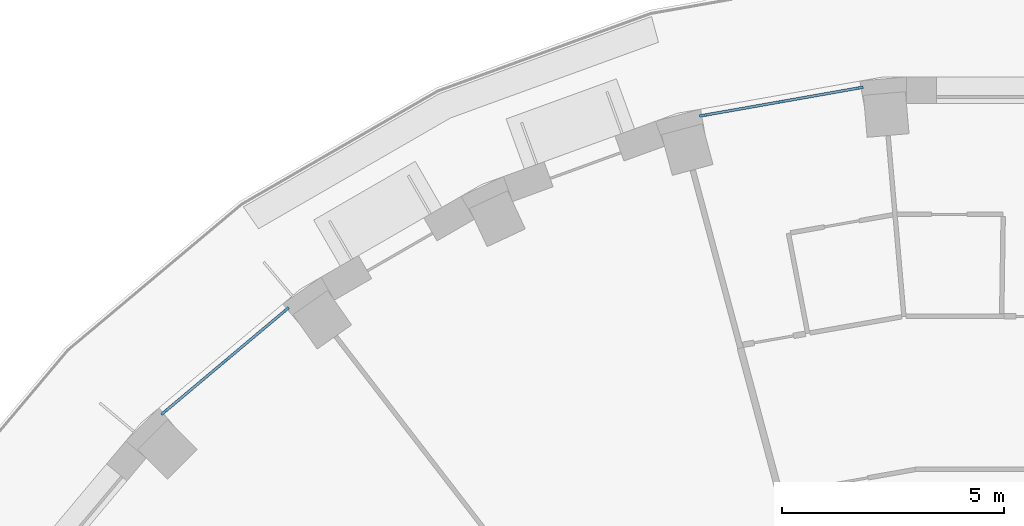
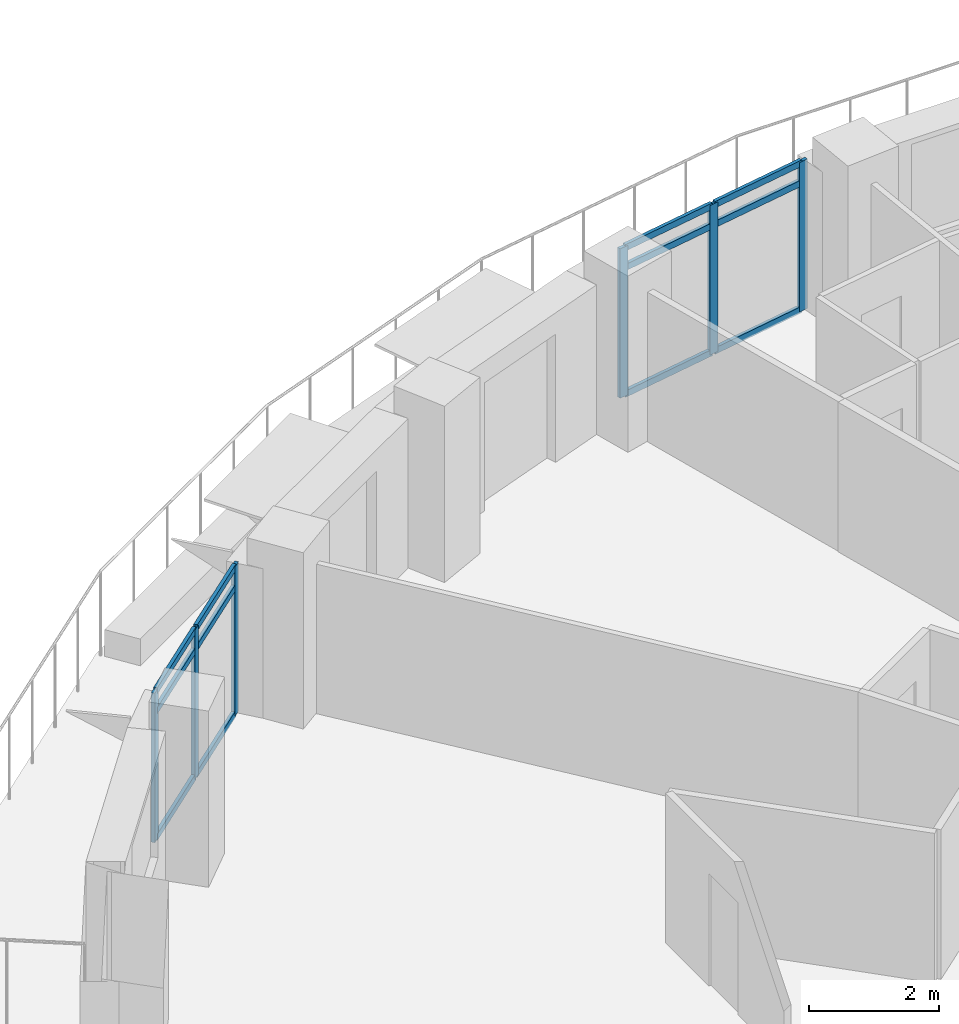
# One storey, part 2 of 14: 18 members, 2 elements without a shape of their own.
"""IFC4 building model written with IfcOpenShell, lengths in metres."""

from ifc_helpers import new_model, si_unit, direction, frame, origin, origin_2d, place, context, subcontext, project, spatial, rectangle, extrude, material, layer, layer_set, material_profile, profile_set, type_object, element, aggregate, save


model = new_model("IFC4")

# Units and contexts
model_context = context("Model", 3, precision=1e-05, world=origin(), true_north=direction((0.0, 1.0)))
body_context = subcontext(model_context, "Body", "Model", "MODEL_VIEW")
ifc_project = project(units=[si_unit("LENGTHUNIT", "METRE"), si_unit("AREAUNIT", "SQUARE_METRE"), si_unit("VOLUMEUNIT", "CUBIC_METRE"), si_unit("PLANEANGLEUNIT", "RADIAN"), si_unit("MASSUNIT", "GRAM", prefix="KILO")], contexts=[model_context])

# Site, building, storey
site_placement = place(None, origin())
site = spatial("IfcSite", under=ifc_project, at=site_placement, CompositionType="ELEMENT")
building_placement = place(site_placement, origin())
building = spatial("IfcBuilding", under=site, at=building_placement, Name="Saqina Gate Tower", CompositionType="ELEMENT")
storey_placement = place(building_placement, frame((0.0, 0.0, 98.5)))
storey = spatial("IfcBuildingStorey", under=building, at=storey_placement, Name="L27", CompositionType="ELEMENT", Elevation=98.5)

# Curtain wall, members
ifc_material_1 = material(Name="Aluminium glazing", Category="aluminium")
ifc_layer = layer(ifc_material_1, 0.159912109375)
ifc_layer_set = layer_set([ifc_layer], Name="CWT-4")
curtain_wall_type = type_object("IfcCurtainWallType", Name="CWT-4", PredefinedType="NOTDEFINED", material=ifc_layer_set)
curtain_wall_1_placement = place(storey_placement, origin())
curtain_wall_1 = element("IfcCurtainWall", 1, at=curtain_wall_1_placement, inside=storey, type_object=curtain_wall_type, Name="Terrace lounge glazing facet 10", PredefinedType="NOTDEFINED")
ifc_material_2 = material(Name="Aluminium", Category="aluminium")
ifc_material_profile_1 = material_profile(ifc_material_2, rectangle(XDim=0.06005859375, YDim=0.159912109375, at=origin_2d()), Name="Aluminium 60x160")
ifc_profile_set_1 = profile_set([ifc_material_profile_1], Name="Aluminium")
member_type_1 = type_object("IfcMemberType", Name="CWT-4M", PredefinedType="MULLION", material=ifc_profile_set_1)
member_1_placement = place(storey_placement, frame((-2.8779296875, 26.65234375, 0.0), z_axis=(0.0, 0.0, 1.0), x_axis=(0.17363832834, -0.984809489664, 0.0)))
member_1 = element("IfcMember", 2, at=member_1_placement, type_object=member_type_1, Name="CW4-10 mullion 1", PredefinedType="MULLION", context=body_context, shape_type="SweptSolid", body=[
    extrude(rectangle(XDim=0.06005859375, YDim=0.159912109375, at=origin_2d()), origin(), (0.0, 0.0, 1.0), 2.800048828125),
])
member_2_placement = place(storey_placement, frame((-4.64453125, 26.3408203125, 0.0), z_axis=(0.0, 0.0, 1.0), x_axis=(0.17363832834, -0.984809489664, 0.0)))
member_2 = element("IfcMember", 3, at=member_2_placement, type_object=member_type_1, Name="CW4-10 mullion 2", PredefinedType="MULLION", context=body_context, shape_type="SweptSolid", body=[
    extrude(rectangle(XDim=0.06005859375, YDim=0.159912109375, at=origin_2d()), origin(), (0.0, 0.0, 1.0), 2.800048828125),
])
member_3_placement = place(storey_placement, frame((-6.411376953125, 26.029296875, 0.0), z_axis=(0.0, 0.0, 1.0), x_axis=(0.17363832834, -0.984809489664, 0.0)))
member_3 = element("IfcMember", 4, at=member_3_placement, type_object=member_type_1, Name="CW4-10 mullion 3", PredefinedType="MULLION", context=body_context, shape_type="SweptSolid", body=[
    extrude(rectangle(XDim=0.06005859375, YDim=0.159912109375, at=origin_2d()), origin(), (0.0, 0.0, 1.0), 2.800048828125),
])

curtain_wall_2_placement = place(storey_placement, origin())
curtain_wall_2 = element("IfcCurtainWall", 5, at=curtain_wall_2_placement, inside=storey, type_object=curtain_wall_type, Name="Terrace lounge glazing facet 13", PredefinedType="NOTDEFINED")
member_4_placement = place(storey_placement, frame((-15.818603515625, 21.642822265625, 0.0), z_axis=(0.0, 0.0, 1.0), x_axis=(0.642790825553, -0.766041744675, 0.0)))
member_4 = element("IfcMember", 6, at=member_4_placement, type_object=member_type_1, Name="CW4-13 mullion 1", PredefinedType="MULLION", context=body_context, shape_type="SweptSolid", body=[
    extrude(rectangle(XDim=0.06005859375, YDim=0.159912109375, at=origin_2d()), origin(), (0.0, 0.0, 1.0), 2.800048828125),
])
member_5_placement = place(storey_placement, frame((-17.19287109375, 20.489501953125, 0.0), z_axis=(0.0, 0.0, 1.0), x_axis=(0.642790825553, -0.766041744675, 0.0)))
member_5 = element("IfcMember", 7, at=member_5_placement, type_object=member_type_1, Name="CW4-13 mullion 2", PredefinedType="MULLION", context=body_context, shape_type="SweptSolid", body=[
    extrude(rectangle(XDim=0.06005859375, YDim=0.159912109375, at=origin_2d()), origin(), (0.0, 0.0, 1.0), 2.800048828125),
])
member_6_placement = place(storey_placement, frame((-18.567138671875, 19.33642578125, 0.0), z_axis=(0.0, 0.0, 1.0), x_axis=(0.642790825553, -0.766041744675, 0.0)))
member_6 = element("IfcMember", 8, at=member_6_placement, type_object=member_type_1, Name="CW4-13 mullion 3", PredefinedType="MULLION", context=body_context, shape_type="SweptSolid", body=[
    extrude(rectangle(XDim=0.06005859375, YDim=0.159912109375, at=origin_2d()), origin(), (0.0, 0.0, 1.0), 2.800048828125),
])

# Member
ifc_material_3 = material(Name="Aluminium", Category="aluminium")
ifc_material_profile_2 = material_profile(ifc_material_3, rectangle(XDim=0.06005859375, YDim=0.1201171875, at=origin_2d()), Name="Aluminium 60x120")
ifc_profile_set_2 = profile_set([ifc_material_profile_2], Name="Aluminium")
member_type_2 = type_object("IfcMemberType", Name="CWT-4T", PredefinedType="USERDEFINED", material=ifc_profile_set_2)
member_7_placement = place(storey_placement, frame((-2.907470703125, 26.647216796875, 0.030029296875), z_axis=(-0.98481331257, -0.173616644895, 0.0), x_axis=(0.173616644895, -0.98481331257, 0.0)))
member_7 = element("IfcMember", 9, at=member_7_placement, type_object=member_type_2, Name="CW4-10 transom 1.1", ObjectType="TRANSOM", PredefinedType="USERDEFINED", context=body_context, shape_type="SweptSolid", body=[
    extrude(rectangle(XDim=0.06005859375, YDim=0.1201171875, at=origin_2d()), origin(), (0.0, 0.0, 1.0), 1.73388671875),
])

member_8_placement = place(storey_placement, frame((-2.907470703125, 26.647216796875, 2.39990234375), z_axis=(-0.98481331257, -0.173616644895, 0.0), x_axis=(0.173616644895, -0.98481331257, 0.0)))
member_8 = element("IfcMember", 10, at=member_8_placement, type_object=member_type_2, Name="CW4-10 transom 1.2", ObjectType="TRANSOM", PredefinedType="USERDEFINED", context=body_context, shape_type="SweptSolid", body=[
    extrude(rectangle(XDim=0.06005859375, YDim=0.1201171875, at=origin_2d()), origin(), (0.0, 0.0, 1.0), 1.73388671875),
])

member_9_placement = place(storey_placement, frame((-2.907470703125, 26.647216796875, 2.77001953125), z_axis=(-0.98481331257, -0.173616644895, 0.0), x_axis=(0.173616644895, -0.98481331257, 0.0)))
member_9 = element("IfcMember", 11, at=member_9_placement, type_object=member_type_2, Name="CW4-10 transom 1.3", ObjectType="TRANSOM", PredefinedType="USERDEFINED", context=body_context, shape_type="SweptSolid", body=[
    extrude(rectangle(XDim=0.06005859375, YDim=0.1201171875, at=origin_2d()), origin(), (0.0, 0.0, 1.0), 1.73388671875),
])

member_10_placement = place(storey_placement, frame((-4.674072265625, 26.335693359375, 0.030029296875), z_axis=(-0.98481331257, -0.173616644895, 0.0), x_axis=(0.173616644895, -0.98481331257, 0.0)))
member_10 = element("IfcMember", 12, at=member_10_placement, type_object=member_type_2, Name="CW4-10 transom 2.1", ObjectType="TRANSOM", PredefinedType="USERDEFINED", context=body_context, shape_type="SweptSolid", body=[
    extrude(rectangle(XDim=0.06005859375, YDim=0.1201171875, at=origin_2d()), origin(), (0.0, 0.0, 1.0), 1.73388671875),
])

member_11_placement = place(storey_placement, frame((-4.674072265625, 26.335693359375, 2.39990234375), z_axis=(-0.98481331257, -0.173616644895, 0.0), x_axis=(0.173616644895, -0.98481331257, 0.0)))
member_11 = element("IfcMember", 13, at=member_11_placement, type_object=member_type_2, Name="CW4-10 transom 2.2", ObjectType="TRANSOM", PredefinedType="USERDEFINED", context=body_context, shape_type="SweptSolid", body=[
    extrude(rectangle(XDim=0.06005859375, YDim=0.1201171875, at=origin_2d()), origin(), (0.0, 0.0, 1.0), 1.73388671875),
])

member_12_placement = place(storey_placement, frame((-4.674072265625, 26.335693359375, 2.77001953125), z_axis=(-0.98481331257, -0.173616644895, 0.0), x_axis=(0.173616644895, -0.98481331257, 0.0)))
member_12 = element("IfcMember", 14, at=member_12_placement, type_object=member_type_2, Name="CW4-10 transom 2.3", ObjectType="TRANSOM", PredefinedType="USERDEFINED", context=body_context, shape_type="SweptSolid", body=[
    extrude(rectangle(XDim=0.06005859375, YDim=0.1201171875, at=origin_2d()), origin(), (0.0, 0.0, 1.0), 1.73388671875),
])

aggregate(curtain_wall_1, [member_1, member_2, member_3, member_7, member_8, member_9, member_10, member_11, member_12])

member_13_placement = place(storey_placement, frame((-15.841552734375, 21.62353515625, 0.030029296875), z_axis=(-0.766012629291, -0.642825522025, 0.0), x_axis=(0.642825522025, -0.766012629291, 0.0)))
member_13 = element("IfcMember", 15, at=member_13_placement, type_object=member_type_2, Name="CW4-13 transom 1.1", ObjectType="TRANSOM", PredefinedType="USERDEFINED", context=body_context, shape_type="SweptSolid", body=[
    extrude(rectangle(XDim=0.06005859375, YDim=0.1201171875, at=origin_2d()), origin(), (0.0, 0.0, 1.0), 1.734130859375),
])

member_14_placement = place(storey_placement, frame((-15.841552734375, 21.62353515625, 2.39990234375), z_axis=(-0.766012629291, -0.642825522025, 0.0), x_axis=(0.642825522025, -0.766012629291, 0.0)))
member_14 = element("IfcMember", 16, at=member_14_placement, type_object=member_type_2, Name="CW4-13 transom 1.2", ObjectType="TRANSOM", PredefinedType="USERDEFINED", context=body_context, shape_type="SweptSolid", body=[
    extrude(rectangle(XDim=0.06005859375, YDim=0.1201171875, at=origin_2d()), origin(), (0.0, 0.0, 1.0), 1.734130859375),
])

member_15_placement = place(storey_placement, frame((-15.841552734375, 21.62353515625, 2.77001953125), z_axis=(-0.766012629291, -0.642825522025, 0.0), x_axis=(0.642825522025, -0.766012629291, 0.0)))
member_15 = element("IfcMember", 17, at=member_15_placement, type_object=member_type_2, Name="CW4-13 transom 1.3", ObjectType="TRANSOM", PredefinedType="USERDEFINED", context=body_context, shape_type="SweptSolid", body=[
    extrude(rectangle(XDim=0.06005859375, YDim=0.1201171875, at=origin_2d()), origin(), (0.0, 0.0, 1.0), 1.734130859375),
])

member_16_placement = place(storey_placement, frame((-17.2158203125, 20.47021484375, 0.030029296875), z_axis=(-0.766023779865, -0.64281223439, 0.0), x_axis=(0.64281223439, -0.766023779865, 0.0)))
member_16 = element("IfcMember", 18, at=member_16_placement, type_object=member_type_2, Name="CW4-13 transom 2.1", ObjectType="TRANSOM", PredefinedType="USERDEFINED", context=body_context, shape_type="SweptSolid", body=[
    extrude(rectangle(XDim=0.06005859375, YDim=0.1201171875, at=origin_2d()), origin(), (0.0, 0.0, 1.0), 1.73388671875),
])

member_17_placement = place(storey_placement, frame((-17.2158203125, 20.47021484375, 2.39990234375), z_axis=(-0.766023779865, -0.64281223439, 0.0), x_axis=(0.64281223439, -0.766023779865, 0.0)))
member_17 = element("IfcMember", 19, at=member_17_placement, type_object=member_type_2, Name="CW4-13 transom 2.2", ObjectType="TRANSOM", PredefinedType="USERDEFINED", context=body_context, shape_type="SweptSolid", body=[
    extrude(rectangle(XDim=0.06005859375, YDim=0.1201171875, at=origin_2d()), origin(), (0.0, 0.0, 1.0), 1.73388671875),
])

member_18_placement = place(storey_placement, frame((-17.2158203125, 20.47021484375, 2.77001953125), z_axis=(-0.766023779865, -0.64281223439, 0.0), x_axis=(0.64281223439, -0.766023779865, 0.0)))
member_18 = element("IfcMember", 20, at=member_18_placement, type_object=member_type_2, Name="CW4-13 transom 2.3", ObjectType="TRANSOM", PredefinedType="USERDEFINED", context=body_context, shape_type="SweptSolid", body=[
    extrude(rectangle(XDim=0.06005859375, YDim=0.1201171875, at=origin_2d()), origin(), (0.0, 0.0, 1.0), 1.73388671875),
])

aggregate(curtain_wall_2, [member_4, member_5, member_6, member_13, member_14, member_15, member_16, member_17, member_18])

save(model, "model.ifc")
